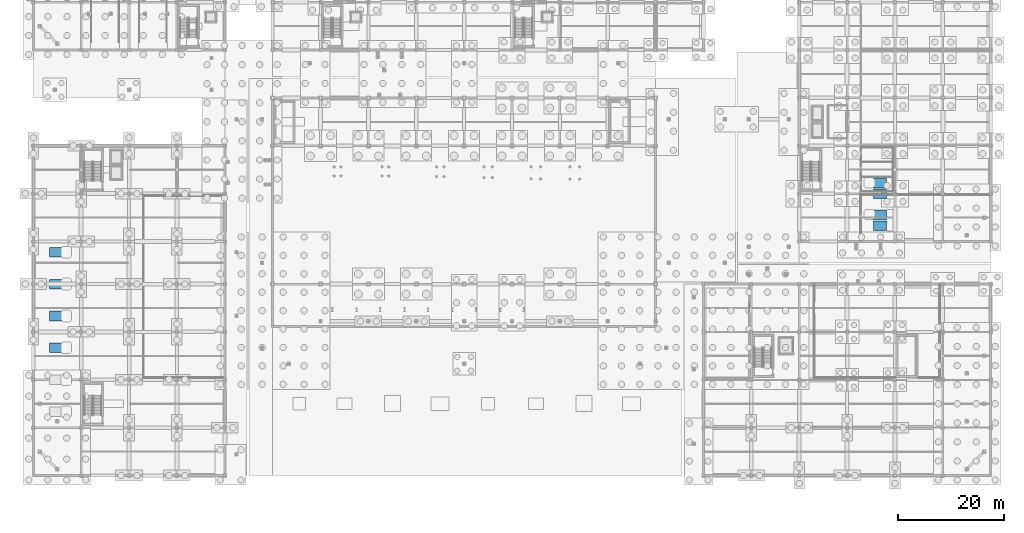
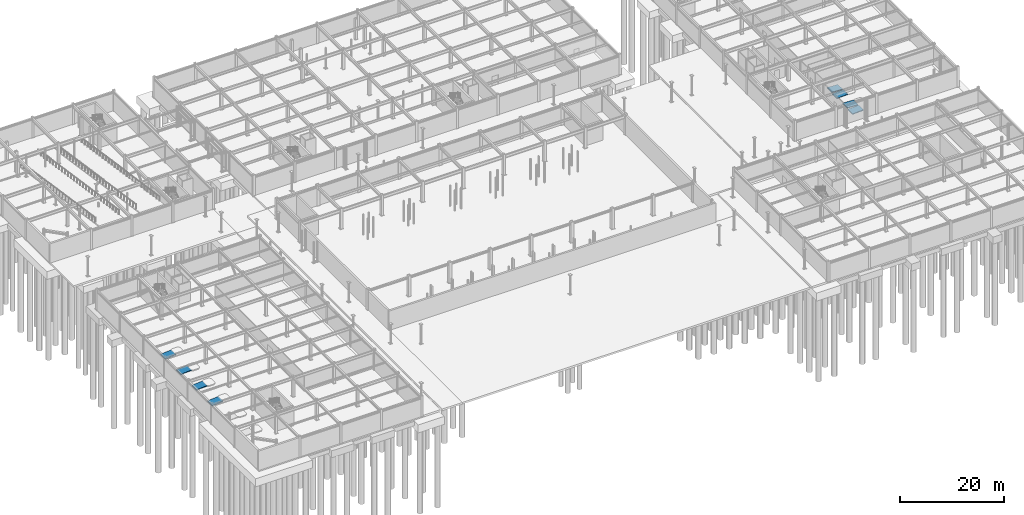
# One storey, part 59 of 74: 8 ramp flights, 6 elements without a shape of their own.
"""IFC4 building model written with IfcOpenShell, lengths in metres."""

from ifc_helpers import new_model, si_unit, direction, frame, origin, place, context, subcontext, project, spatial, polyline, outline, extrude, material, layer, layer_set, type_object, element, aggregate, save


model = new_model("IFC4")

# Units and contexts
model_context = context("Model", 3, precision=1e-05, world=origin(), true_north=direction((0.0, 1.0)))
body_context = subcontext(model_context, "Body", "Model", "MODEL_VIEW")
ifc_project = project(units=[si_unit("LENGTHUNIT", "METRE"), si_unit("AREAUNIT", "SQUARE_METRE"), si_unit("VOLUMEUNIT", "CUBIC_METRE"), si_unit("PLANEANGLEUNIT", "RADIAN"), si_unit("MASSUNIT", "GRAM", prefix="KILO")], contexts=[model_context])

# Site, building, storey
site_placement = place(None, origin())
site = spatial("IfcSite", under=ifc_project, at=site_placement, CompositionType="ELEMENT")
building_placement = place(site_placement, origin())
building = spatial("IfcBuilding", under=site, at=building_placement, Name="Suzunagisa Mobility Hub", CompositionType="ELEMENT")
storey_placement = place(building_placement, frame((0.0, 0.0, -4.800048828125)))
storey = spatial("IfcBuildingStorey", under=building, at=storey_placement, Name="B1", CompositionType="ELEMENT", Elevation=-4.800048828125)

# Ramp, ramp flight
ifc_material = material(Name="Concrete C30/37", Category="concrete")
ramp_type_1 = type_object("IfcRampType", Name="Barrier-Free Pedestrian Ramp PR-STR", PredefinedType="STRAIGHT_RUN_RAMP", material=ifc_material)
ramp_1_placement = place(storey_placement, origin())
ramp_1 = element("IfcRamp", 1, at=ramp_1_placement, inside=storey, type_object=ramp_type_1, Name="Barrier-Free Cycle Vault Threshold Ramp PR-03", PredefinedType="STRAIGHT_RUN_RAMP")
ifc_layer = layer(ifc_material, 0.199951171875)
ifc_layer_set = layer_set([ifc_layer], Name="Concrete C30/37")
ramp_flight_type = type_object("IfcRampFlightType", Name="Barrier-Free Ramp Flight PRF-01", PredefinedType="STRAIGHT", material=ifc_layer_set)
ramp_flight_1_placement = place(storey_placement, frame((3.0, 24.0, 0.0), z_axis=(0.0, 0.0, 1.0), x_axis=(1.0, 0.0, 0.0)))
ramp_flight_1 = element("IfcRampFlight", 2, at=ramp_flight_1_placement, type_object=ramp_flight_type, Name="Barrier-Free Ramp Flight PR-03-F1", PredefinedType="STRAIGHT", context=body_context, shape_type="SweptSolid", body=[
    extrude(outline(polyline([(0.0, 0.0), (2.39990234375, 0.199951171875), (2.39990234375, 0.0), (0.0, -0.199951171875), (0.0, 0.0)])), frame((0.0, 0.89990234375, 0.0), z_axis=(0.0, -1.0, 0.0), x_axis=(1.0, 0.0, 0.0)), (0.0, 0.0, 1.0), 1.800048828125),
])
aggregate(ramp_1, [ramp_flight_1])

ramp_2_placement = place(storey_placement, origin())
ramp_2 = element("IfcRamp", 3, at=ramp_2_placement, inside=storey, type_object=ramp_type_1, Name="Barrier-Free Cycle Vault Threshold Ramp PR-04", PredefinedType="STRAIGHT_RUN_RAMP")
ramp_flight_2_placement = place(storey_placement, frame((3.0, 30.0, 0.0), z_axis=(0.0, 0.0, 1.0), x_axis=(1.0, 0.0, 0.0)))
ramp_flight_2 = element("IfcRampFlight", 4, at=ramp_flight_2_placement, type_object=ramp_flight_type, Name="Barrier-Free Ramp Flight PR-04-F1", PredefinedType="STRAIGHT", context=body_context, shape_type="SweptSolid", body=[
    extrude(outline(polyline([(0.0, 0.0), (2.39990234375, 0.199951171875), (2.39990234375, 0.0), (0.0, -0.199951171875), (0.0, 0.0)])), frame((0.0, 0.89990234375, 0.0), z_axis=(0.0, -1.0, 0.0), x_axis=(1.0, 0.0, 0.0)), (0.0, 0.0, 1.0), 1.800048828125),
])
aggregate(ramp_2, [ramp_flight_2])

ramp_3_placement = place(storey_placement, origin())
ramp_3 = element("IfcRamp", 5, at=ramp_3_placement, inside=storey, type_object=ramp_type_1, Name="Barrier-Free Cycle Vault Threshold Ramp PR-05", PredefinedType="STRAIGHT_RUN_RAMP")
ramp_flight_3_placement = place(storey_placement, frame((3.0, 36.0, 0.0), z_axis=(0.0, 0.0, 1.0), x_axis=(1.0, 0.0, 0.0)))
ramp_flight_3 = element("IfcRampFlight", 6, at=ramp_flight_3_placement, type_object=ramp_flight_type, Name="Barrier-Free Ramp Flight PR-05-F1", PredefinedType="STRAIGHT", context=body_context, shape_type="SweptSolid", body=[
    extrude(outline(polyline([(0.0, 0.0), (2.39990234375, 0.199951171875), (2.39990234375, 0.0), (0.0, -0.199951171875), (0.0, 0.0)])), frame((0.0, 0.89990234375, 0.0), z_axis=(0.0, -1.0, 0.0), x_axis=(1.0, 0.0, 0.0)), (0.0, 0.0, 1.0), 1.800048828125),
])
aggregate(ramp_3, [ramp_flight_3])

ramp_4_placement = place(storey_placement, origin())
ramp_4 = element("IfcRamp", 7, at=ramp_4_placement, inside=storey, type_object=ramp_type_1, Name="Barrier-Free Cycle Vault Threshold Ramp PR-06", PredefinedType="STRAIGHT_RUN_RAMP")
ramp_flight_4_placement = place(storey_placement, frame((3.0, 42.0, 0.0), z_axis=(0.0, 0.0, 1.0), x_axis=(1.0, 0.0, 0.0)))
ramp_flight_4 = element("IfcRampFlight", 8, at=ramp_flight_4_placement, type_object=ramp_flight_type, Name="Barrier-Free Ramp Flight PR-06-F1", PredefinedType="STRAIGHT", context=body_context, shape_type="SweptSolid", body=[
    extrude(outline(polyline([(0.0, 0.0), (2.39990234375, 0.199951171875), (2.39990234375, 0.0), (0.0, -0.199951171875), (0.0, 0.0)])), frame((0.0, 0.89990234375, 0.0), z_axis=(0.0, -1.0, 0.0), x_axis=(1.0, 0.0, 0.0)), (0.0, 0.0, 1.0), 1.800048828125),
])
aggregate(ramp_4, [ramp_flight_4])

# Ramp, ramp flights
ramp_type_2 = type_object("IfcRampType", Name="Barrier-Free Pedestrian Two-Run Ramp PR-2R", PredefinedType="TWO_STRAIGHT_RUN_RAMP", material=ifc_material)
ramp_5_placement = place(storey_placement, origin())
ramp_5 = element("IfcRamp", 9, at=ramp_5_placement, inside=storey, type_object=ramp_type_2, Name="Barrier-Free Service Platform Two-Run Ramp PR-07", PredefinedType="TWO_STRAIGHT_RUN_RAMP")
ramp_flight_5_placement = place(storey_placement, frame((158.0, 47.0, 0.0), z_axis=(0.0, 0.0, 1.0), x_axis=(1.0, 0.0, 0.0)))
ramp_flight_5 = element("IfcRampFlight", 10, at=ramp_flight_5_placement, type_object=ramp_flight_type, Name="Barrier-Free Ramp Flight PR-07-F1", PredefinedType="STRAIGHT", context=body_context, shape_type="SweptSolid", body=[
    extrude(outline(polyline([(0.0, 0.0), (2.39990234375, 0.1201171875), (2.39990234375, -0.079833984375), (0.0, -0.199951171875), (0.0, 0.0)])), frame((0.0, 0.89990234375, 0.0), z_axis=(0.0, -1.0, 0.0), x_axis=(1.0, 0.0, 0.0)), (0.0, 0.0, 1.0), 1.800048828125),
])
ramp_flight_6_placement = place(storey_placement, frame((160.39990234375, 49.0, 0.1201171875), z_axis=(0.0, 0.0, 1.0), x_axis=(-1.0, 0.0, 0.0)))
ramp_flight_6 = element("IfcRampFlight", 11, at=ramp_flight_6_placement, type_object=ramp_flight_type, Name="Barrier-Free Ramp Flight PR-07-F2", PredefinedType="STRAIGHT", context=body_context, shape_type="SweptSolid", body=[
    extrude(outline(polyline([(0.0, 0.0), (2.39990234375, 0.119873046875), (2.39990234375, -0.080078125), (0.0, -0.199951171875), (0.0, 0.0)])), frame((0.0, 0.89990234375, 0.0), z_axis=(0.0, -1.0, 0.0), x_axis=(1.0, 0.0, 0.0)), (0.0, 0.0, 1.0), 1.800048828125),
])
aggregate(ramp_5, [ramp_flight_5, ramp_flight_6])

ramp_6_placement = place(storey_placement, origin())
ramp_6 = element("IfcRamp", 12, at=ramp_6_placement, inside=storey, type_object=ramp_type_2, Name="Barrier-Free Service Platform Two-Run Ramp PR-08", PredefinedType="TWO_STRAIGHT_RUN_RAMP")
ramp_flight_7_placement = place(storey_placement, frame((158.0, 53.0, 0.0), z_axis=(0.0, 0.0, 1.0), x_axis=(1.0, 0.0, 0.0)))
ramp_flight_7 = element("IfcRampFlight", 13, at=ramp_flight_7_placement, type_object=ramp_flight_type, Name="Barrier-Free Ramp Flight PR-08-F1", PredefinedType="STRAIGHT", context=body_context, shape_type="SweptSolid", body=[
    extrude(outline(polyline([(0.0, 0.0), (2.39990234375, 0.1201171875), (2.39990234375, -0.079833984375), (0.0, -0.199951171875), (0.0, 0.0)])), frame((0.0, 0.89990234375, 0.0), z_axis=(0.0, -1.0, 0.0), x_axis=(1.0, 0.0, 0.0)), (0.0, 0.0, 1.0), 1.800048828125),
])
ramp_flight_8_placement = place(storey_placement, frame((160.39990234375, 55.0, 0.1201171875), z_axis=(0.0, 0.0, 1.0), x_axis=(-1.0, 0.0, 0.0)))
ramp_flight_8 = element("IfcRampFlight", 14, at=ramp_flight_8_placement, type_object=ramp_flight_type, Name="Barrier-Free Ramp Flight PR-08-F2", PredefinedType="STRAIGHT", context=body_context, shape_type="SweptSolid", body=[
    extrude(outline(polyline([(0.0, 0.0), (2.39990234375, 0.119873046875), (2.39990234375, -0.080078125), (0.0, -0.199951171875), (0.0, 0.0)])), frame((0.0, 0.89990234375, 0.0), z_axis=(0.0, -1.0, 0.0), x_axis=(1.0, 0.0, 0.0)), (0.0, 0.0, 1.0), 1.800048828125),
])
aggregate(ramp_6, [ramp_flight_7, ramp_flight_8])

save(model, "model.ifc")
